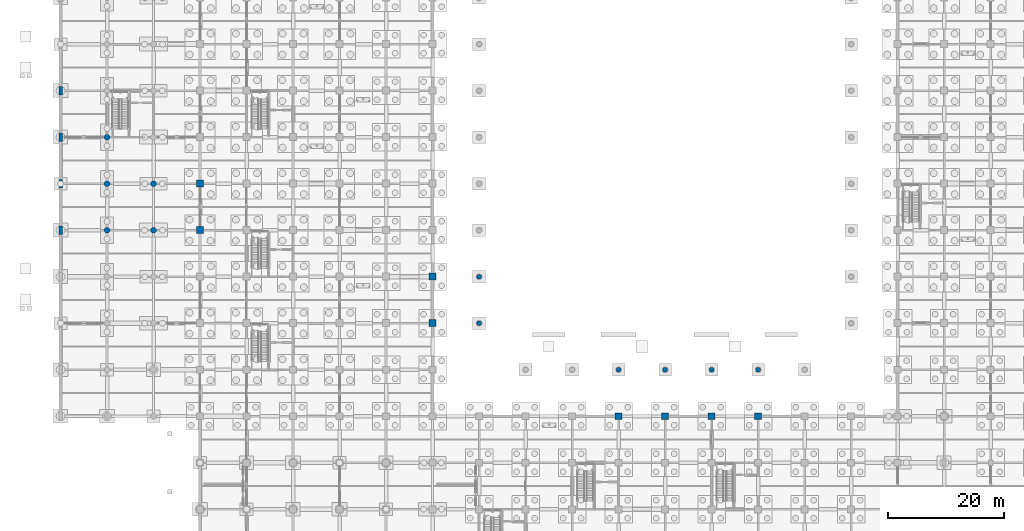
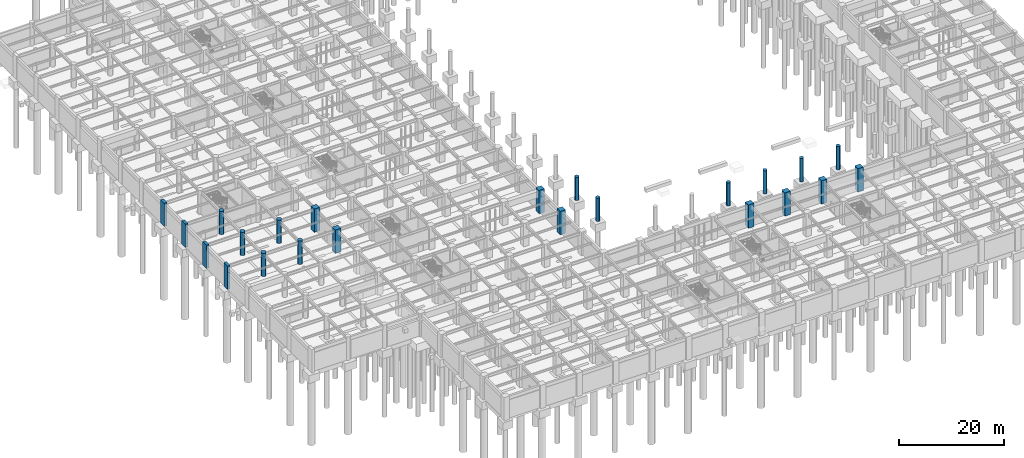
# One storey, part 29 of 97: 23 columns.
"""IFC4 building model written with IfcOpenShell, lengths in metres."""

import ifcopenshell
import ifcopenshell.guid

model = None  # the IFC model being written
_history = None  # IfcOwnerHistory: only IFC2X3 demands one
_inside = {}  # id of a spatial element -> (the spatial element, [elements in it])
_under = {}  # id of a project, library or spatial element -> (it, [spatial elements below it])
_declared = {}  # id of a project -> (the project, [libraries it declares])
_typed = {}  # id of a type object -> (the type object, [elements of that type])
_made_of = {}  # id of a material, layer set ... -> (it, [elements and type objects made of it])


def new_model(schema):
    """Start an empty IFC model of exactly this schema.

    Asked for "IFC4X3", IfcOpenShell would pick the latest addendum, in which some entities
    have other attributes; the version numbers below select the first issue.
    IFC2X3 requires an IfcOwnerHistory on every rooted entity: one is made here for all.
    """
    global model, _history
    if schema == "IFC4X3":
        model = ifcopenshell.file(schema_version=(4, 3, 0, 0))
    else:
        model = ifcopenshell.file(schema=schema)
    _inside.clear()
    _under.clear()
    _declared.clear()
    _typed.clear()
    _made_of.clear()
    _history = None
    if model.schema == "IFC2X3":
        org = make("IfcOrganization", Name="unknown")
        user = make(
            "IfcPersonAndOrganization",
            ThePerson=make("IfcPerson", FamilyName="unknown"),
            TheOrganization=org,
        )
        app = make(
            "IfcApplication",
            ApplicationDeveloper=org,
            Version="unknown",
            ApplicationFullName="unknown",
            ApplicationIdentifier="unknown",
        )
        _history = make(
            "IfcOwnerHistory",
            OwningUser=user,
            OwningApplication=app,
            ChangeAction="ADDED",
            CreationDate=0,
        )
    return model


def make(cls, **values):
    """One entity of the class cls with the attributes given. An attribute that is None is left unset."""
    return model.create_entity(
        cls, **{name: value for name, value in values.items() if value is not None}
    )


def rooted(cls, **values):
    """An entity with a GlobalId (a new one), such as an element, a storey or a relation."""
    return make(cls, GlobalId=ifcopenshell.guid.new(), OwnerHistory=_history, **values)


def si_unit(unit_type, name, prefix=None):
    """IfcSIUnit, for example si_unit("LENGTHUNIT", "METRE", prefix="MILLI")."""
    return make("IfcSIUnit", UnitType=unit_type, Prefix=prefix, Name=name)


def assignment(units):
    """IfcUnitAssignment: the units of a project."""
    return None if units is None else make("IfcUnitAssignment", Units=units)


def point(xyz):
    """IfcCartesianPoint."""
    return None if xyz is None else make("IfcCartesianPoint", Coordinates=xyz)


def direction(xyz):
    """IfcDirection."""
    return None if xyz is None else make("IfcDirection", DirectionRatios=xyz)


def frame(location, z_axis=None, x_axis=None):
    """IfcAxis2Placement3D, a coordinate frame: its origin and axes. An axis left out is left unset."""
    return make(
        "IfcAxis2Placement3D",
        Location=point(location),
        Axis=direction(z_axis),
        RefDirection=direction(x_axis),
    )


def frame_2d(location, x_axis=None):
    """IfcAxis2Placement2D, a coordinate frame in the plane: its origin and x axis."""
    return make(
        "IfcAxis2Placement2D", Location=point(location), RefDirection=direction(x_axis)
    )


def origin():
    """The frame at (0, 0, 0) with its axes left unset."""
    return frame((0.0, 0.0, 0.0))


def origin_2d():
    """The frame at (0, 0) in the plane with its x axis left unset."""
    return frame_2d((0.0, 0.0))


def place(relative_to, where):
    """IfcLocalPlacement: puts the frame where relative to a parent placement (None: the world)."""
    return make(
        "IfcLocalPlacement", PlacementRelTo=relative_to, RelativePlacement=where
    )


def context(
    kind, dimensions, precision=None, world=None, true_north=None, identifier=None
):
    """IfcGeometricRepresentationContext, for example the 3D "Model" context."""
    return make(
        "IfcGeometricRepresentationContext",
        ContextIdentifier=identifier,
        ContextType=kind,
        CoordinateSpaceDimension=dimensions,
        Precision=precision,
        WorldCoordinateSystem=world,
        TrueNorth=true_north,
    )


def subcontext(parent, identifier, kind, view, scale=None):
    """IfcGeometricRepresentationSubContext, for example "Body" below "Model"."""
    return make(
        "IfcGeometricRepresentationSubContext",
        ContextIdentifier=identifier,
        ContextType=kind,
        ParentContext=parent,
        TargetScale=scale,
        TargetView=view,
    )


def project(units=None, contexts=None):
    """IfcProject with its units and contexts."""
    return rooted(
        "IfcProject",
        Name="project",
        RepresentationContexts=contexts,
        UnitsInContext=assignment(units),
    )


def spatial(cls, under=None, at=None, **own):
    """A site, building, storey or space (cls), placed at a placement, below another one or the project."""
    s = rooted(cls, ObjectPlacement=at, **own)
    if under is not None:
        _under.setdefault(under.id(), (under, []))[1].append(s)
    return s


def profile(cls, at=None, kind="AREA", **sizes):
    """A parametric profile (cls). Its sizes go by their IFC names, for example OverallWidth=200.0."""
    return make(cls, ProfileType=kind, Position=at, **sizes)


def rectangle(**sizes):
    """IfcRectangleProfileDef."""
    return profile("IfcRectangleProfileDef", **sizes)


def circle(**sizes):
    """IfcCircleProfileDef."""
    return profile("IfcCircleProfileDef", **sizes)


def extrude(swept, where, along, depth):
    """IfcExtrudedAreaSolid: the profile swept, set in the frame where, extruded along a direction by depth."""
    return make(
        "IfcExtrudedAreaSolid",
        SweptArea=swept,
        Position=where,
        ExtrudedDirection=direction(along),
        Depth=depth,
    )


def shape(context_of_items, identifier, shape_type, items):
    """IfcShapeRepresentation: the items that make up one representation, for example the "Body"."""
    return make(
        "IfcShapeRepresentation",
        ContextOfItems=context_of_items,
        RepresentationIdentifier=identifier,
        RepresentationType=shape_type,
        Items=items,
    )


def material(Name=None, Category=None):
    """IfcMaterial."""
    return make("IfcMaterial", Name=Name, Category=Category)


def material_profile(
    of_material, cross_section, Name=None, Category=None, Priority=None
):
    """IfcMaterialProfile: a cross section and its material."""
    return make(
        "IfcMaterialProfile",
        Name=Name,
        Material=of_material,
        Profile=cross_section,
        Priority=Priority,
        Category=Category,
    )


def profile_set(profiles, Name=None, composite=None):
    """IfcMaterialProfileSet."""
    return make(
        "IfcMaterialProfileSet",
        Name=Name,
        MaterialProfiles=profiles,
        CompositeProfile=composite,
    )


def made_of(thing, what):
    """Note that an element or type object is made of a material, layer set ...; save() writes the relation."""
    if what is not None:
        _made_of.setdefault(what.id(), (what, []))[1].append(thing)
    return thing


def type_object(cls, material=None, **own):
    """A type object (cls), such as IfcWallType, which elements share."""
    return made_of(rooted(cls, **own), material)


def element(
    cls,
    number,
    at=None,
    inside=None,
    cuts=None,
    type_object=None,
    material=None,
    context=None,
    identifier="Body",
    shape_type=None,
    held_by="IfcProductDefinitionShape",
    body=None,
    shapes=None,
    **own,
):
    """One element of the class cls, such as IfcWall. Its Tag is "e" and its number.

    at: its placement. inside: the storey or other place that contains it. cuts: it is an
    opening in that element (IfcRelVoidsElement). A single representation is given by context,
    identifier, shape_type and body (its items); several are given by shapes. held_by: the class
    of the entity that holds the representations. save() writes the other relations.
    """
    e = rooted(cls, Tag="e%d" % number, ObjectPlacement=at, **own)
    if body is not None:
        shapes = [shape(context, identifier, shape_type, body)]
    if shapes is not None:
        e.Representation = make(held_by, Representations=shapes)
    if inside is not None:
        _inside.setdefault(inside.id(), (inside, []))[1].append(e)
    if cuts is not None:
        rooted(
            "IfcRelVoidsElement", RelatingBuildingElement=cuts, RelatedOpeningElement=e
        )
    if type_object is not None:
        _typed.setdefault(type_object.id(), (type_object, []))[1].append(e)
    return made_of(e, material)


def aggregate(whole, parts):
    """IfcRelAggregates: a whole, such as a stair, and the parts it consists of."""
    return rooted("IfcRelAggregates", RelatingObject=whole, RelatedObjects=parts)


def save(model, path):
    """Write the relations noted so far, then the file.

    IfcRelAggregates (storeys below a building ...), IfcRelContainedInSpatialStructure (elements
    in a storey), IfcRelDefinesByType, IfcRelAssociatesMaterial and IfcRelDeclares: one each for
    every whole, place, type object, material and project.
    """
    for whole, parts in _under.values():
        aggregate(whole, parts)
    for where, things in _inside.values():
        rooted(
            "IfcRelContainedInSpatialStructure",
            RelatedElements=things,
            RelatingStructure=where,
        )
    for kind, things in _typed.values():
        rooted("IfcRelDefinesByType", RelatedObjects=things, RelatingType=kind)
    for what, things in _made_of.values():
        rooted("IfcRelAssociatesMaterial", RelatedObjects=things, RelatingMaterial=what)
    for by, libraries in _declared.values():
        rooted("IfcRelDeclares", RelatingContext=by, RelatedDefinitions=libraries)
    model.write(path)


model = new_model("IFC4")

# Units and contexts
model_context = context("Model", 3, precision=1e-05, world=origin(), true_north=direction((0.0, 1.0)))
body_context = subcontext(model_context, "Body", "Model", "MODEL_VIEW")
ifc_project = project(units=[si_unit("LENGTHUNIT", "METRE"), si_unit("AREAUNIT", "SQUARE_METRE"), si_unit("VOLUMEUNIT", "CUBIC_METRE"), si_unit("PLANEANGLEUNIT", "RADIAN"), si_unit("MASSUNIT", "GRAM", prefix="KILO")], contexts=[model_context])

# Site, building, storey
site_placement = place(None, origin())
site = spatial("IfcSite", under=ifc_project, at=site_placement, CompositionType="ELEMENT")
building_placement = place(site_placement, origin())
building = spatial("IfcBuilding", under=site, at=building_placement, Name="Haebicheon Civic Stadium", CompositionType="ELEMENT")
storey_placement = place(building_placement, frame((0.0, 0.0, -5.39990234375)))
storey = spatial("IfcBuildingStorey", under=building, at=storey_placement, Name="B1", CompositionType="ELEMENT", Elevation=-5.39990234375)

# Columns
ifc_material_1 = material(Name="Concrete C40/50", Category="concrete")
ifc_material_profile_1 = material_profile(ifc_material_1, rectangle(XDim=1.199951171875, YDim=1.199951171875, at=origin_2d()), Name="RC-COL-1200x1200")
ifc_profile_set_1 = profile_set([ifc_material_profile_1], Name="Concrete C40/50")
column_type_1 = type_object("IfcColumnType", Name="COL-RC-1200", PredefinedType="COLUMN", material=ifc_profile_set_1)
for number, where, z_axis, x_axis, name in (
    (1, (24.0, 64.0, 0.0), (0.0, 0.0, 1.0), (1.0, 0.0, 0.0), "B1 column 4/J"),
    (2, (24.0, 72.0, 0.0), (0.0, 0.0, 1.0), (1.0, 0.0, 0.0), "B1 column 4/K"),
    (3, (64.0, 48.0, 0.0), (0.0, 0.0, 1.0), (1.0, 0.0, 0.0), "B1 column 9/G"),
    (4, (64.0, 56.0, 0.0), (0.0, 0.0, 1.0), (1.0, 0.0, 0.0), "B1 column 9/H"),
    (5, (96.0, 32.0, 0.0), (0.0, 0.0, 1.0), (1.0, 0.0, 0.0), "B1 column 13/E"),
    (6, (104.0, 32.0, 0.0), (0.0, 0.0, 1.0), (1.0, 0.0, 0.0), "B1 column 14/E"),
    (7, (112.0, 32.0, 0.0), (0.0, 0.0, 1.0), (1.0, 0.0, 0.0), "B1 column 15/E"),
    (8, (120.0, 32.0, 0.0), (0.0, 0.0, 1.0), (1.0, 0.0, 0.0), "B1 column 16/E"),
):
    element("IfcColumn", number, at=place(storey_placement, frame(where, z_axis=z_axis, x_axis=x_axis)), inside=storey, type_object=column_type_1, material=ifc_profile_set_1, Name=name, PredefinedType="COLUMN", context=body_context, shape_type="SweptSolid", body=[
        extrude(rectangle(XDim=1.199951171875, YDim=1.199951171875, at=origin_2d()), origin(), (0.0, 0.0, 1.0), 5.39990234375),
    ])
ifc_material_2 = material(Name="Concrete C40/50", Category="concrete")
ifc_material_profile_2 = material_profile(ifc_material_2, circle(Radius=0.5, at=origin_2d()), Name="RC-COL-D1000")
ifc_profile_set_2 = profile_set([ifc_material_profile_2], Name="Concrete C40/50")
column_type_2 = type_object("IfcColumnType", Name="COL-RC-D1000", PredefinedType="COLUMN", material=ifc_profile_set_2)
for number, where, z_axis, x_axis, name in (
    (9, (8.0, 64.0, 0.0), (0.0, 0.0, 1.0), (1.0, 0.0, 0.0), "B1 column 2/J"),
    (10, (8.0, 72.0, 0.0), (0.0, 0.0, 1.0), (1.0, 0.0, 0.0), "B1 column 2/K"),
    (11, (8.0, 80.0, 0.0), (0.0, 0.0, 1.0), (1.0, 0.0, 0.0), "B1 column 2/L"),
    (12, (16.0, 64.0, 0.0), (0.0, 0.0, 1.0), (1.0, 0.0, 0.0), "B1 column 3/J"),
    (13, (16.0, 72.0, 0.0), (0.0, 0.0, 1.0), (1.0, 0.0, 0.0), "B1 column 3/K"),
):
    element("IfcColumn", number, at=place(storey_placement, frame(where, z_axis=z_axis, x_axis=x_axis)), inside=storey, type_object=column_type_2, material=ifc_profile_set_2, Name=name, PredefinedType="COLUMN", context=body_context, shape_type="SweptSolid", body=[
        extrude(circle(Radius=0.5, at=origin_2d()), origin(), (0.0, 0.0, 1.0), 5.39990234375),
    ])
ifc_material_3 = material(Name="Concrete C40/50", Category="concrete")
ifc_material_profile_3 = material_profile(ifc_material_3, circle(Radius=0.425048828125, at=origin_2d()), Name="RC-COL-D850")
ifc_profile_set_3 = profile_set([ifc_material_profile_3], Name="Concrete C40/50")
column_type_3 = type_object("IfcColumnType", Name="COL-RC-D850", PredefinedType="COLUMN", material=ifc_profile_set_3)
for number, where, z_axis, x_axis, name in (
    (14, (72.0, 48.0, 0.0), (0.0, 0.0, 1.0), (1.0, 0.0, 0.0), "Bowl/canopy support column 72/48 (B1)"),
    (15, (72.0, 56.0, 0.0), (0.0, 0.0, 1.0), (1.0, 0.0, 0.0), "Bowl/canopy support column 72/56 (B1)"),
    (16, (96.0, 40.0, 0.0), (0.0, 0.0, 1.0), (1.0, 0.0, 0.0), "Bowl/canopy support column 96/40 (B1)"),
    (17, (104.0, 40.0, 0.0), (0.0, 0.0, 1.0), (1.0, 0.0, 0.0), "Bowl/canopy support column 104/40 (B1)"),
    (18, (112.0, 40.0, 0.0), (0.0, 0.0, 1.0), (1.0, 0.0, 0.0), "Bowl/canopy support column 112/40 (B1)"),
    (19, (120.0, 40.0, 0.0), (0.0, 0.0, 1.0), (1.0, 0.0, 0.0), "Bowl/canopy support column 120/40 (B1)"),
):
    element("IfcColumn", number, at=place(storey_placement, frame(where, z_axis=z_axis, x_axis=x_axis)), inside=storey, type_object=column_type_3, material=ifc_profile_set_3, Name=name, PredefinedType="COLUMN", context=body_context, shape_type="SweptSolid", body=[
        extrude(circle(Radius=0.425048828125, at=origin_2d()), origin(), (0.0, 0.0, 1.0), 5.39990234375),
    ])
ifc_material_4 = material(Name="Concrete C40/50", Category="concrete")
ifc_material_profile_4 = material_profile(ifc_material_4, rectangle(XDim=0.60009765625, YDim=1.39990234375, at=origin_2d()), Name="RC-PIL-600x1400")
ifc_profile_set_4 = profile_set([ifc_material_profile_4], Name="Concrete C40/50")
column_type_4 = type_object("IfcColumnType", Name="PIL-RC-600x1400", PredefinedType="PILASTER", material=ifc_profile_set_4)
for number, where, z_axis, x_axis, name in (
    (20, (0.0, 64.0, 0.0), (0.0, 0.0, 1.0), (1.0, 0.0, 0.0), "B1 column 1/J"),
    (21, (0.0, 72.0, 0.0), (0.0, 0.0, 1.0), (1.0, 0.0, 0.0), "B1 column 1/K"),
    (22, (0.0, 80.0, 0.0), (0.0, 0.0, 1.0), (1.0, 0.0, 0.0), "B1 column 1/L"),
    (23, (0.0, 88.0, 0.0), (0.0, 0.0, 1.0), (1.0, 0.0, 0.0), "B1 column 1/M"),
):
    element("IfcColumn", number, at=place(storey_placement, frame(where, z_axis=z_axis, x_axis=x_axis)), inside=storey, type_object=column_type_4, material=ifc_profile_set_4, Name=name, PredefinedType="PILASTER", context=body_context, shape_type="SweptSolid", body=[
        extrude(rectangle(XDim=0.60009765625, YDim=1.39990234375, at=origin_2d()), origin(), (0.0, 0.0, 1.0), 5.39990234375),
    ])

save(model, "model.ifc")
